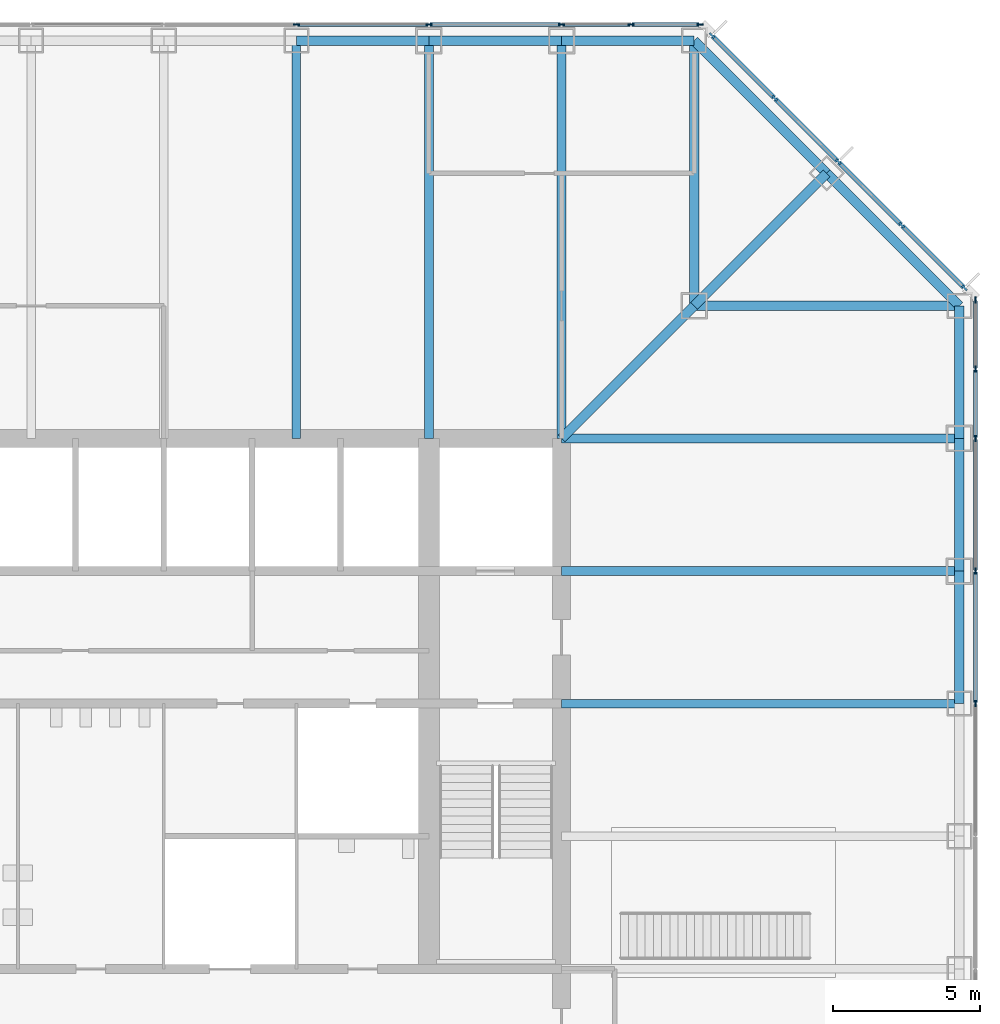
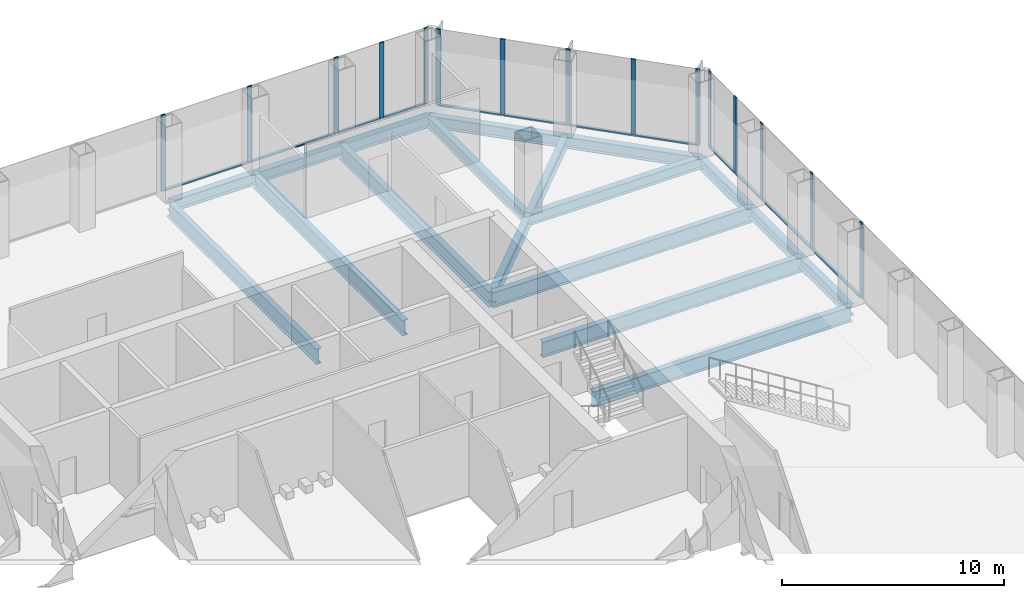
# One storey, part 6 of 12: 27 members, 18 beams, 3 elements without a shape of their own.
"""IFC4 building model written with IfcOpenShell, lengths in metres."""

from ifc_helpers import new_model, si_unit, direction, frame, origin, origin_2d, place, context, subcontext, project, spatial, rectangle, i_section, extrude, material, material_profile, profile_set, type_object, element, aggregate, save


model = new_model("IFC4")

# Units and contexts
model_context = context("Model", 3, precision=1e-05, world=origin(), true_north=direction((0.0, 1.0)))
body_context = subcontext(model_context, "Body", "Model", "MODEL_VIEW")
ifc_project = project(units=[si_unit("LENGTHUNIT", "METRE"), si_unit("AREAUNIT", "SQUARE_METRE"), si_unit("VOLUMEUNIT", "CUBIC_METRE"), si_unit("PLANEANGLEUNIT", "RADIAN"), si_unit("MASSUNIT", "GRAM", prefix="KILO")], contexts=[model_context])

# Site, building, storey
site_placement = place(None, origin())
site = spatial("IfcSite", under=ifc_project, at=site_placement, CompositionType="ELEMENT")
building_placement = place(site_placement, origin())
building = spatial("IfcBuilding", under=site, at=building_placement, Name="Corais Broadcast Tower", CompositionType="ELEMENT")
storey_placement = place(building_placement, frame((0.0, 0.0, 29.0)))
storey = spatial("IfcBuildingStorey", under=building, at=storey_placement, Name="L05", CompositionType="ELEMENT", Elevation=29.0)

# Beams
ifc_material_1 = material(Name="Steel ASTM A572 Grade 50", Category="steel")
ifc_material_profile_1 = material_profile(ifc_material_1, i_section(OverallWidth=0.323974609375, OverallDepth=0.611083984375, WebThickness=0.0126953125, FlangeThickness=0.01904296875, at=origin_2d()), Name="W610x155")
ifc_profile_set_1 = profile_set([ifc_material_profile_1], Name="Steel ASTM A572 Grade 50")
beam_type_1 = type_object("IfcBeamType", Name="Chamfer tie W610x155", PredefinedType="BEAM", material=ifc_profile_set_1)
beam_1_placement = place(storey_placement, frame((49.5, 49.5, -0.465576171875), z_axis=(-0.707106781187, -0.707106781187, 0.0), x_axis=(0.707106781187, -0.707106781187, 0.0)))
element("IfcBeam", 1, at=beam_1_placement, inside=storey, type_object=beam_type_1, Name="B5 M/14 to L/13", PredefinedType="BEAM", context=body_context, shape_type="SweptSolid", body=[
    extrude(i_section(OverallWidth=0.323974609375, OverallDepth=0.611083984375, WebThickness=0.0126953125, FlangeThickness=0.01904296875, at=origin_2d()), origin(), (0.0, 0.0, 1.0), 6.364013671875),
])
ifc_material_2 = material(Name="Steel ASTM A572 Grade 50", Category="steel")
ifc_material_profile_2 = material_profile(ifc_material_2, i_section(OverallWidth=0.323974609375, OverallDepth=0.611083984375, WebThickness=0.0126953125, FlangeThickness=0.01904296875, at=origin_2d()), Name="W610x155")
ifc_profile_set_2 = profile_set([ifc_material_profile_2], Name="Steel ASTM A572 Grade 50")
beam_type_2 = type_object("IfcBeamType", Name="Corner diagonal W610x155", PredefinedType="BEAM", material=ifc_profile_set_2)
beam_2_placement = place(storey_placement, frame((45.0, 45.0, -0.465576171875), z_axis=(-0.707106781187, -0.707106781187, 0.0), x_axis=(0.707106781187, -0.707106781187, 0.0)))
element("IfcBeam", 2, at=beam_2_placement, inside=storey, type_object=beam_type_2, Name="B6 L/13 to K/12", PredefinedType="BEAM", context=body_context, shape_type="SweptSolid", body=[
    extrude(i_section(OverallWidth=0.323974609375, OverallDepth=0.611083984375, WebThickness=0.0126953125, FlangeThickness=0.01904296875, at=origin_2d()), origin(), (0.0, 0.0, 1.0), 6.364013671875),
])
ifc_material_3 = material(Name="Steel ASTM A572 Grade 50", Category="steel")
ifc_material_profile_3 = material_profile(ifc_material_3, i_section(OverallWidth=0.323974609375, OverallDepth=0.611083984375, WebThickness=0.0126953125, FlangeThickness=0.01904296875, at=origin_2d()), Name="W610x155")
ifc_profile_set_3 = profile_set([ifc_material_profile_3], Name="Steel ASTM A572 Grade 50")
beam_type_3 = type_object("IfcBeamType", Name="Corner girder W610x155", PredefinedType="BEAM", material=ifc_profile_set_3)
for number, where, z_axis, x_axis, name in (
    (3, (45.0, 54.0, -0.465576171875), (0.0, -1.0, 0.0), (1.0, 0.0, 0.0), "B4 N/13 to L/13"),
    (4, (54.0, 45.0, -0.465576171875), (-1.0, 0.0, 0.0), (0.0, -1.0, 0.0), "B4 L/15 to L/13"),
):
    element("IfcBeam", number, at=place(storey_placement, frame(where, z_axis=z_axis, x_axis=x_axis)), inside=storey, type_object=beam_type_3, Name=name, PredefinedType="BEAM", context=body_context, shape_type="SweptSolid", body=[
        extrude(i_section(OverallWidth=0.323974609375, OverallDepth=0.611083984375, WebThickness=0.0126953125, FlangeThickness=0.01904296875, at=origin_2d()), origin(), (0.0, 0.0, 1.0), 9.0),
    ])
ifc_material_4 = material(Name="Steel ASTM A572 Grade 50", Category="steel")
ifc_material_profile_4 = material_profile(ifc_material_4, i_section(OverallWidth=0.2939453125, OverallDepth=0.85107421875, WebThickness=0.01611328125, FlangeThickness=0.02685546875, at=origin_2d()), Name="W840x226")
ifc_profile_set_4 = profile_set([ifc_material_profile_4], Name="Steel ASTM A572 Grade 50")
beam_type_4 = type_object("IfcBeamType", Name="Floor beam W840x226", PredefinedType="BEAM", material=ifc_profile_set_4)
for number, where, z_axis, x_axis, name in (
    (5, (31.5, 54.0, -0.58544921875), (0.0, -1.0, 0.0), (1.0, 0.0, 0.0), "B1 N/10 to K/10"),
    (6, (36.0, 54.0, -0.58544921875), (0.0, -1.0, 0.0), (1.0, 0.0, 0.0), "B1 N/11 to K/11"),
    (7, (40.5, 54.0, -0.58544921875), (0.0, -1.0, 0.0), (1.0, 0.0, 0.0), "B1 N/12 to K/12"),
    (8, (54.0, 31.5, -0.58544921875), (-1.0, 0.0, 0.0), (0.0, -1.0, 0.0), "B1 H/15 to H/12"),
    (9, (54.0, 36.0, -0.58544921875), (-1.0, 0.0, 0.0), (0.0, -1.0, 0.0), "B1 J/15 to J/12"),
    (10, (54.0, 40.5, -0.58544921875), (-1.0, 0.0, 0.0), (0.0, -1.0, 0.0), "B1 K/15 to K/12"),
):
    element("IfcBeam", number, at=place(storey_placement, frame(where, z_axis=z_axis, x_axis=x_axis)), inside=storey, type_object=beam_type_4, Name=name, PredefinedType="BEAM", context=body_context, shape_type="SweptSolid", body=[
        extrude(i_section(OverallWidth=0.2939453125, OverallDepth=0.85107421875, WebThickness=0.01611328125, FlangeThickness=0.02685546875, at=origin_2d()), origin(), (0.0, 0.0, 1.0), 13.5),
    ])

# Curtain wall, members
ifc_material_5 = material(Name="Aluminium and glass", Category="aluminium")
curtain_wall_type = type_object("IfcCurtainWallType", Name="Newsroom clear-glass curtain wall CW7", PredefinedType="NOTDEFINED", material=ifc_material_5)
curtain_wall_1_placement = place(storey_placement, origin())
curtain_wall_1 = element("IfcCurtainWall", 11, at=curtain_wall_1_placement, inside=storey, type_object=curtain_wall_type, Name="CW7 curtain wall L05 4", PredefinedType="NOTDEFINED")
ifc_material_6 = material(Name="Aluminium 6063-T6", Category="aluminium")
ifc_material_profile_5 = material_profile(ifc_material_6, rectangle(XDim=0.06494140625, YDim=0.219970703125, at=origin_2d()), Name="Mullion CW7 65x220")
ifc_profile_set_5 = profile_set([ifc_material_profile_5], Name="Aluminium 6063-T6")
member_type_1 = type_object("IfcMemberType", Name="Mullion CW7 65x220", PredefinedType="MULLION", material=ifc_profile_set_5)
member_1_placement = place(storey_placement, frame((31.5, 54.550048828125, 0.0), z_axis=(0.0, 0.0, 1.0), x_axis=(0.0, 1.0, 0.0)))
member_1 = element("IfcMember", 12, at=member_1_placement, type_object=member_type_1, Name="CW7 mullion 7", PredefinedType="MULLION", context=body_context, shape_type="SweptSolid", body=[
    extrude(rectangle(XDim=0.06494140625, YDim=0.219970703125, at=origin_2d()), origin(), (0.0, 0.0, 1.0), 4.199951171875),
])
member_2_placement = place(storey_placement, frame((36.0, 54.550048828125, 0.0), z_axis=(0.0, 0.0, 1.0), x_axis=(0.0, 1.0, 0.0)))
member_2 = element("IfcMember", 13, at=member_2_placement, type_object=member_type_1, Name="CW7 mullion 8", PredefinedType="MULLION", context=body_context, shape_type="SweptSolid", body=[
    extrude(rectangle(XDim=0.06494140625, YDim=0.219970703125, at=origin_2d()), origin(), (0.0, 0.0, 1.0), 4.199951171875),
])
member_3_placement = place(storey_placement, frame((40.5, 54.550048828125, 0.0), z_axis=(0.0, 0.0, 1.0), x_axis=(0.0, 1.0, 0.0)))
member_3 = element("IfcMember", 14, at=member_3_placement, type_object=member_type_1, Name="CW7 mullion 9", PredefinedType="MULLION", context=body_context, shape_type="SweptSolid", body=[
    extrude(rectangle(XDim=0.06494140625, YDim=0.219970703125, at=origin_2d()), origin(), (0.0, 0.0, 1.0), 4.199951171875),
])
member_4_placement = place(storey_placement, frame((42.864013671875, 54.550048828125, 0.0), z_axis=(0.0, 0.0, 1.0), x_axis=(0.0, 1.0, 0.0)))
member_4 = element("IfcMember", 15, at=member_4_placement, type_object=member_type_1, Name="CW7 mullion 10", PredefinedType="MULLION", context=body_context, shape_type="SweptSolid", body=[
    extrude(rectangle(XDim=0.06494140625, YDim=0.219970703125, at=origin_2d()), origin(), (0.0, 0.0, 1.0), 4.199951171875),
])
member_5_placement = place(storey_placement, frame((45.1953125, 54.550048828125, 0.0), z_axis=(0.0, 0.0, 1.0), x_axis=(0.0, 1.0, 0.0)))
member_5 = element("IfcMember", 16, at=member_5_placement, type_object=member_type_1, Name="CW7 mullion 11", PredefinedType="MULLION", context=body_context, shape_type="SweptSolid", body=[
    extrude(rectangle(XDim=0.06494140625, YDim=0.219970703125, at=origin_2d()), origin(), (0.0, 0.0, 1.0), 4.199951171875),
])

curtain_wall_2_placement = place(storey_placement, origin())
curtain_wall_2 = element("IfcCurtainWall", 17, at=curtain_wall_2_placement, inside=storey, type_object=curtain_wall_type, Name="CW7 curtain wall L05 5", PredefinedType="NOTDEFINED")
member_6_placement = place(storey_placement, frame((45.6044921875, 54.17333984375, 0.0), z_axis=(0.0, 0.0, 1.0), x_axis=(0.707106781187, 0.707106781187, 0.0)))
member_6 = element("IfcMember", 18, at=member_6_placement, type_object=member_type_1, Name="CW7 mullion 1", PredefinedType="MULLION", context=body_context, shape_type="SweptSolid", body=[
    extrude(rectangle(XDim=0.06494140625, YDim=0.219970703125, at=origin_2d()), origin(), (0.0, 0.0, 1.0), 4.199951171875),
])
member_7_placement = place(storey_placement, frame((47.735107421875, 52.042724609375, 0.0), z_axis=(0.0, 0.0, 1.0), x_axis=(0.707106781187, 0.707106781187, 0.0)))
member_7 = element("IfcMember", 19, at=member_7_placement, type_object=member_type_1, Name="CW7 mullion 2", PredefinedType="MULLION", context=body_context, shape_type="SweptSolid", body=[
    extrude(rectangle(XDim=0.06494140625, YDim=0.219970703125, at=origin_2d()), origin(), (0.0, 0.0, 1.0), 4.199951171875),
])
member_8_placement = place(storey_placement, frame((49.888916015625, 49.888916015625, 0.0), z_axis=(0.0, 0.0, 1.0), x_axis=(0.707106781187, 0.707106781187, 0.0)))
member_8 = element("IfcMember", 20, at=member_8_placement, type_object=member_type_1, Name="CW7 mullion 3", PredefinedType="MULLION", context=body_context, shape_type="SweptSolid", body=[
    extrude(rectangle(XDim=0.06494140625, YDim=0.219970703125, at=origin_2d()), origin(), (0.0, 0.0, 1.0), 4.199951171875),
])
member_9_placement = place(storey_placement, frame((52.042724609375, 47.735107421875, 0.0), z_axis=(0.0, 0.0, 1.0), x_axis=(0.707106781187, 0.707106781187, 0.0)))
member_9 = element("IfcMember", 21, at=member_9_placement, type_object=member_type_1, Name="CW7 mullion 4", PredefinedType="MULLION", context=body_context, shape_type="SweptSolid", body=[
    extrude(rectangle(XDim=0.06494140625, YDim=0.219970703125, at=origin_2d()), origin(), (0.0, 0.0, 1.0), 4.199951171875),
])
member_10_placement = place(storey_placement, frame((54.17333984375, 45.6044921875, 0.0), z_axis=(0.0, 0.0, 1.0), x_axis=(0.707106781187, 0.707106781187, 0.0)))
member_10 = element("IfcMember", 22, at=member_10_placement, type_object=member_type_1, Name="CW7 mullion 5", PredefinedType="MULLION", context=body_context, shape_type="SweptSolid", body=[
    extrude(rectangle(XDim=0.06494140625, YDim=0.219970703125, at=origin_2d()), origin(), (0.0, 0.0, 1.0), 4.199951171875),
])

curtain_wall_3_placement = place(storey_placement, origin())
curtain_wall_3 = element("IfcCurtainWall", 23, at=curtain_wall_3_placement, inside=storey, type_object=curtain_wall_type, Name="CW7 curtain wall L05 6", PredefinedType="NOTDEFINED")
member_11_placement = place(storey_placement, frame((54.550048828125, 45.1953125, 0.0), z_axis=(0.0, 0.0, 1.0), x_axis=(1.0, 0.0, 0.0)))
member_11 = element("IfcMember", 24, at=member_11_placement, type_object=member_type_1, Name="CW7 mullion 1", PredefinedType="MULLION", context=body_context, shape_type="SweptSolid", body=[
    extrude(rectangle(XDim=0.06494140625, YDim=0.219970703125, at=origin_2d()), origin(), (0.0, 0.0, 1.0), 4.199951171875),
])
member_12_placement = place(storey_placement, frame((54.550048828125, 42.864013671875, 0.0), z_axis=(0.0, 0.0, 1.0), x_axis=(1.0, 0.0, 0.0)))
member_12 = element("IfcMember", 25, at=member_12_placement, type_object=member_type_1, Name="CW7 mullion 2", PredefinedType="MULLION", context=body_context, shape_type="SweptSolid", body=[
    extrude(rectangle(XDim=0.06494140625, YDim=0.219970703125, at=origin_2d()), origin(), (0.0, 0.0, 1.0), 4.199951171875),
])
member_13_placement = place(storey_placement, frame((54.550048828125, 40.5, 0.0), z_axis=(0.0, 0.0, 1.0), x_axis=(1.0, 0.0, 0.0)))
member_13 = element("IfcMember", 26, at=member_13_placement, type_object=member_type_1, Name="CW7 mullion 3", PredefinedType="MULLION", context=body_context, shape_type="SweptSolid", body=[
    extrude(rectangle(XDim=0.06494140625, YDim=0.219970703125, at=origin_2d()), origin(), (0.0, 0.0, 1.0), 4.199951171875),
])
member_14_placement = place(storey_placement, frame((54.550048828125, 36.0, 0.0), z_axis=(0.0, 0.0, 1.0), x_axis=(1.0, 0.0, 0.0)))
member_14 = element("IfcMember", 27, at=member_14_placement, type_object=member_type_1, Name="CW7 mullion 4", PredefinedType="MULLION", context=body_context, shape_type="SweptSolid", body=[
    extrude(rectangle(XDim=0.06494140625, YDim=0.219970703125, at=origin_2d()), origin(), (0.0, 0.0, 1.0), 4.199951171875),
])
member_15_placement = place(storey_placement, frame((54.550048828125, 31.5, 0.0), z_axis=(0.0, 0.0, 1.0), x_axis=(1.0, 0.0, 0.0)))
member_15 = element("IfcMember", 28, at=member_15_placement, type_object=member_type_1, Name="CW7 mullion 5", PredefinedType="MULLION", context=body_context, shape_type="SweptSolid", body=[
    extrude(rectangle(XDim=0.06494140625, YDim=0.219970703125, at=origin_2d()), origin(), (0.0, 0.0, 1.0), 4.199951171875),
])

# Beams
ifc_material_7 = material(Name="Steel ASTM A572 Grade 50", Category="steel")
ifc_material_profile_6 = material_profile(ifc_material_7, i_section(OverallWidth=0.323974609375, OverallDepth=0.611083984375, WebThickness=0.0126953125, FlangeThickness=0.01904296875, at=origin_2d()), Name="W610x155")
ifc_profile_set_6 = profile_set([ifc_material_profile_6], Name="Steel ASTM A572 Grade 50")
beam_type_5 = type_object("IfcBeamType", Name="Pinned spandrel W610x155", PredefinedType="BEAM", material=ifc_profile_set_6)
for number, where, z_axis, x_axis, name in (
    (29, (40.5, 54.0, -0.465576171875), (-1.0, 0.0, 0.0), (0.0, -1.0, 0.0), "SB6 N/12 to N/11"),
    (30, (54.0, 36.0, -0.465576171875), (0.0, 1.0, 0.0), (-1.0, 0.0, 0.0), "SB6 J/15 to K/15"),
):
    element("IfcBeam", number, at=place(storey_placement, frame(where, z_axis=z_axis, x_axis=x_axis)), inside=storey, type_object=beam_type_5, Name=name, PredefinedType="BEAM", context=body_context, shape_type="SweptSolid", body=[
        extrude(i_section(OverallWidth=0.323974609375, OverallDepth=0.611083984375, WebThickness=0.0126953125, FlangeThickness=0.01904296875, at=origin_2d()), origin(), (0.0, 0.0, 1.0), 4.5),
    ])
ifc_material_8 = material(Name="Steel ASTM A572 Grade 50", Category="steel")
ifc_material_profile_7 = material_profile(ifc_material_8, i_section(OverallWidth=0.3291015625, OverallDepth=0.635009765625, WebThickness=0.017822265625, FlangeThickness=0.031005859375, at=origin_2d()), Name="W610x241")
ifc_profile_set_7 = profile_set([ifc_material_profile_7], Name="Steel ASTM A572 Grade 50")
beam_type_6 = type_object("IfcBeamType", Name="Spandrel W610x241", PredefinedType="BEAM", material=ifc_profile_set_7)
for number, where, z_axis, x_axis, name in (
    (31, (36.0, 54.0, -0.4775390625), (-1.0, 0.0, 0.0), (0.0, -1.0, 0.0), "SB1 N/11 to N/10"),
    (32, (45.0, 54.0, -0.4775390625), (-1.0, 0.0, 0.0), (0.0, -1.0, 0.0), "SB1 N/13 to N/12"),
):
    element("IfcBeam", number, at=place(storey_placement, frame(where, z_axis=z_axis, x_axis=x_axis)), inside=storey, type_object=beam_type_6, Name=name, PredefinedType="BEAM", context=body_context, shape_type="SweptSolid", body=[
        extrude(i_section(OverallWidth=0.3291015625, OverallDepth=0.635009765625, WebThickness=0.017822265625, FlangeThickness=0.031005859375, at=origin_2d()), origin(), (0.0, 0.0, 1.0), 4.5),
    ])
beam_3_placement = place(storey_placement, frame((49.5, 49.5, -0.4775390625), z_axis=(-0.707106781187, 0.707106781187, 0.0), x_axis=(-0.707106781187, -0.707106781187, 0.0)))
element("IfcBeam", 33, at=beam_3_placement, inside=storey, type_object=beam_type_6, Name="SB1 M/14 to N/13", PredefinedType="BEAM", context=body_context, shape_type="SweptSolid", body=[
    extrude(i_section(OverallWidth=0.3291015625, OverallDepth=0.635009765625, WebThickness=0.017822265625, FlangeThickness=0.031005859375, at=origin_2d()), origin(), (0.0, 0.0, 1.0), 6.364013671875),
])
for number, where, z_axis, x_axis, name in (
    (34, (54.0, 31.5, -0.4775390625), (0.0, 1.0, 0.0), (-1.0, 0.0, 0.0), "SB1 H/15 to J/15"),
    (35, (54.0, 40.5, -0.4775390625), (0.0, 1.0, 0.0), (-1.0, 0.0, 0.0), "SB1 K/15 to L/15"),
):
    element("IfcBeam", number, at=place(storey_placement, frame(where, z_axis=z_axis, x_axis=x_axis)), inside=storey, type_object=beam_type_6, Name=name, PredefinedType="BEAM", context=body_context, shape_type="SweptSolid", body=[
        extrude(i_section(OverallWidth=0.3291015625, OverallDepth=0.635009765625, WebThickness=0.017822265625, FlangeThickness=0.031005859375, at=origin_2d()), origin(), (0.0, 0.0, 1.0), 4.5),
    ])
beam_4_placement = place(storey_placement, frame((54.0, 45.0, -0.4775390625), z_axis=(-0.707106781187, 0.707106781187, 0.0), x_axis=(-0.707106781187, -0.707106781187, 0.0)))
element("IfcBeam", 36, at=beam_4_placement, inside=storey, type_object=beam_type_6, Name="SB1 L/15 to M/14", PredefinedType="BEAM", context=body_context, shape_type="SweptSolid", body=[
    extrude(i_section(OverallWidth=0.3291015625, OverallDepth=0.635009765625, WebThickness=0.017822265625, FlangeThickness=0.031005859375, at=origin_2d()), origin(), (0.0, 0.0, 1.0), 6.364013671875),
])

# Member
ifc_material_9 = material(Name="Aluminium 6063-T6", Category="aluminium")
ifc_material_profile_8 = material_profile(ifc_material_9, rectangle(XDim=0.14990234375, YDim=0.06494140625, at=origin_2d()), Name="Transom CW7 65x150")
ifc_profile_set_8 = profile_set([ifc_material_profile_8], Name="Aluminium 6063-T6")
member_type_2 = type_object("IfcMemberType", Name="Transom CW7 65x150", PredefinedType="USERDEFINED", material=ifc_profile_set_8)
member_16_placement = place(storey_placement, frame((31.532470703125, 54.550048828125, 0.032470703125), z_axis=(1.0, 0.0, 0.0), x_axis=(0.0, 1.0, 0.0)))
member_16 = element("IfcMember", 37, at=member_16_placement, type_object=member_type_2, Name="CW7 transom 7.1", ObjectType="TRANSOM", PredefinedType="USERDEFINED", context=body_context, shape_type="SweptSolid", body=[
    extrude(rectangle(XDim=0.14990234375, YDim=0.06494140625, at=origin_2d()), origin(), (0.0, 0.0, 1.0), 4.43505859375),
])

member_17_placement = place(storey_placement, frame((36.032470703125, 54.550048828125, 0.032470703125), z_axis=(1.0, 0.0, 0.0), x_axis=(0.0, 1.0, 0.0)))
member_17 = element("IfcMember", 38, at=member_17_placement, type_object=member_type_2, Name="CW7 transom 8.1", ObjectType="TRANSOM", PredefinedType="USERDEFINED", context=body_context, shape_type="SweptSolid", body=[
    extrude(rectangle(XDim=0.14990234375, YDim=0.06494140625, at=origin_2d()), origin(), (0.0, 0.0, 1.0), 4.43505859375),
])

member_18_placement = place(storey_placement, frame((40.532470703125, 54.550048828125, 0.032470703125), z_axis=(1.0, 0.0, 0.0), x_axis=(0.0, 1.0, 0.0)))
member_18 = element("IfcMember", 39, at=member_18_placement, type_object=member_type_2, Name="CW7 transom 9.1", ObjectType="TRANSOM", PredefinedType="USERDEFINED", context=body_context, shape_type="SweptSolid", body=[
    extrude(rectangle(XDim=0.14990234375, YDim=0.06494140625, at=origin_2d()), origin(), (0.0, 0.0, 1.0), 2.298828125),
])

member_19_placement = place(storey_placement, frame((42.896484375, 54.550048828125, 0.032470703125), z_axis=(1.0, 0.0, 0.0), x_axis=(0.0, 1.0, 0.0)))
member_19 = element("IfcMember", 40, at=member_19_placement, type_object=member_type_2, Name="CW7 transom 10.1", ObjectType="TRANSOM", PredefinedType="USERDEFINED", context=body_context, shape_type="SweptSolid", body=[
    extrude(rectangle(XDim=0.14990234375, YDim=0.06494140625, at=origin_2d()), origin(), (0.0, 0.0, 1.0), 2.266357421875),
])

aggregate(curtain_wall_1, [member_1, member_2, member_3, member_4, member_5, member_16, member_17, member_18, member_19])

member_20_placement = place(storey_placement, frame((45.62744140625, 54.150390625, 0.032470703125), z_axis=(0.707106781187, -0.707106781187, 0.0), x_axis=(0.707106781187, 0.707106781187, 0.0)))
member_20 = element("IfcMember", 41, at=member_20_placement, type_object=member_type_2, Name="CW7 transom 1.1", ObjectType="TRANSOM", PredefinedType="USERDEFINED", context=body_context, shape_type="SweptSolid", body=[
    extrude(rectangle(XDim=0.14990234375, YDim=0.06494140625, at=origin_2d()), origin(), (0.0, 0.0, 1.0), 2.9482421875),
])

member_21_placement = place(storey_placement, frame((47.758056640625, 52.019775390625, 0.032470703125), z_axis=(0.707106781187, -0.707106781187, 0.0), x_axis=(0.707106781187, 0.707106781187, 0.0)))
member_21 = element("IfcMember", 42, at=member_21_placement, type_object=member_type_2, Name="CW7 transom 2.1", ObjectType="TRANSOM", PredefinedType="USERDEFINED", context=body_context, shape_type="SweptSolid", body=[
    extrude(rectangle(XDim=0.14990234375, YDim=0.06494140625, at=origin_2d()), origin(), (0.0, 0.0, 1.0), 2.98095703125),
])

member_22_placement = place(storey_placement, frame((49.911865234375, 49.865966796875, 0.032470703125), z_axis=(0.707106781187, -0.707106781187, 0.0), x_axis=(0.707106781187, 0.707106781187, 0.0)))
member_22 = element("IfcMember", 43, at=member_22_placement, type_object=member_type_2, Name="CW7 transom 3.1", ObjectType="TRANSOM", PredefinedType="USERDEFINED", context=body_context, shape_type="SweptSolid", body=[
    extrude(rectangle(XDim=0.14990234375, YDim=0.06494140625, at=origin_2d()), origin(), (0.0, 0.0, 1.0), 2.98095703125),
])

member_23_placement = place(storey_placement, frame((52.065673828125, 47.712158203125, 0.032470703125), z_axis=(0.707106781187, -0.707106781187, 0.0), x_axis=(0.707106781187, 0.707106781187, 0.0)))
member_23 = element("IfcMember", 44, at=member_23_placement, type_object=member_type_2, Name="CW7 transom 4.1", ObjectType="TRANSOM", PredefinedType="USERDEFINED", context=body_context, shape_type="SweptSolid", body=[
    extrude(rectangle(XDim=0.14990234375, YDim=0.06494140625, at=origin_2d()), origin(), (0.0, 0.0, 1.0), 2.9482421875),
])

aggregate(curtain_wall_2, [member_6, member_7, member_8, member_9, member_10, member_20, member_21, member_22, member_23])

member_24_placement = place(storey_placement, frame((54.550048828125, 45.162841796875, 0.032470703125), z_axis=(0.0, -1.0, 0.0), x_axis=(1.0, 0.0, 0.0)))
member_24 = element("IfcMember", 45, at=member_24_placement, type_object=member_type_2, Name="CW7 transom 1.1", ObjectType="TRANSOM", PredefinedType="USERDEFINED", context=body_context, shape_type="SweptSolid", body=[
    extrude(rectangle(XDim=0.14990234375, YDim=0.06494140625, at=origin_2d()), origin(), (0.0, 0.0, 1.0), 2.266357421875),
])

member_25_placement = place(storey_placement, frame((54.550048828125, 42.831298828125, 0.032470703125), z_axis=(0.0, -1.0, 0.0), x_axis=(1.0, 0.0, 0.0)))
member_25 = element("IfcMember", 46, at=member_25_placement, type_object=member_type_2, Name="CW7 transom 2.1", ObjectType="TRANSOM", PredefinedType="USERDEFINED", context=body_context, shape_type="SweptSolid", body=[
    extrude(rectangle(XDim=0.14990234375, YDim=0.06494140625, at=origin_2d()), origin(), (0.0, 0.0, 1.0), 2.298828125),
])

member_26_placement = place(storey_placement, frame((54.550048828125, 40.467529296875, 0.032470703125), z_axis=(0.0, -1.0, 0.0), x_axis=(1.0, 0.0, 0.0)))
member_26 = element("IfcMember", 47, at=member_26_placement, type_object=member_type_2, Name="CW7 transom 3.1", ObjectType="TRANSOM", PredefinedType="USERDEFINED", context=body_context, shape_type="SweptSolid", body=[
    extrude(rectangle(XDim=0.14990234375, YDim=0.06494140625, at=origin_2d()), origin(), (0.0, 0.0, 1.0), 4.43505859375),
])

member_27_placement = place(storey_placement, frame((54.550048828125, 35.967529296875, 0.032470703125), z_axis=(0.0, -1.0, 0.0), x_axis=(1.0, 0.0, 0.0)))
member_27 = element("IfcMember", 48, at=member_27_placement, type_object=member_type_2, Name="CW7 transom 4.1", ObjectType="TRANSOM", PredefinedType="USERDEFINED", context=body_context, shape_type="SweptSolid", body=[
    extrude(rectangle(XDim=0.14990234375, YDim=0.06494140625, at=origin_2d()), origin(), (0.0, 0.0, 1.0), 4.43505859375),
])

aggregate(curtain_wall_3, [member_11, member_12, member_13, member_14, member_15, member_24, member_25, member_26, member_27])

save(model, "model.ifc")
